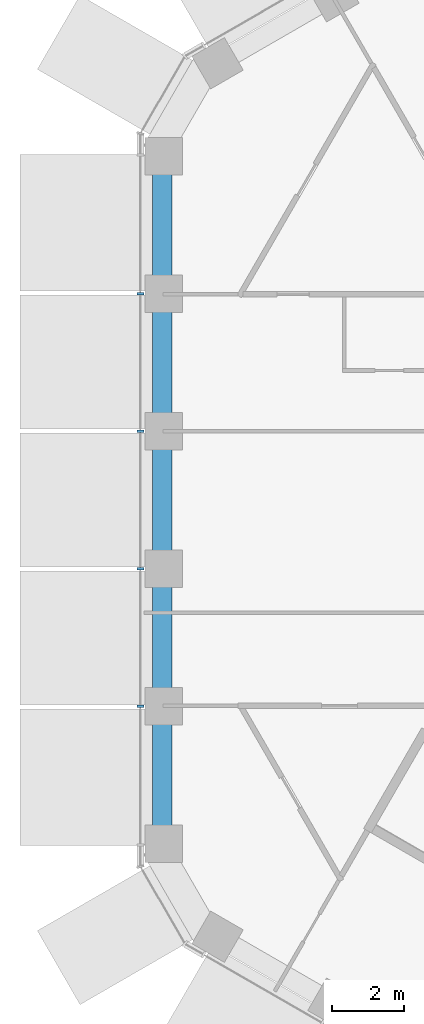
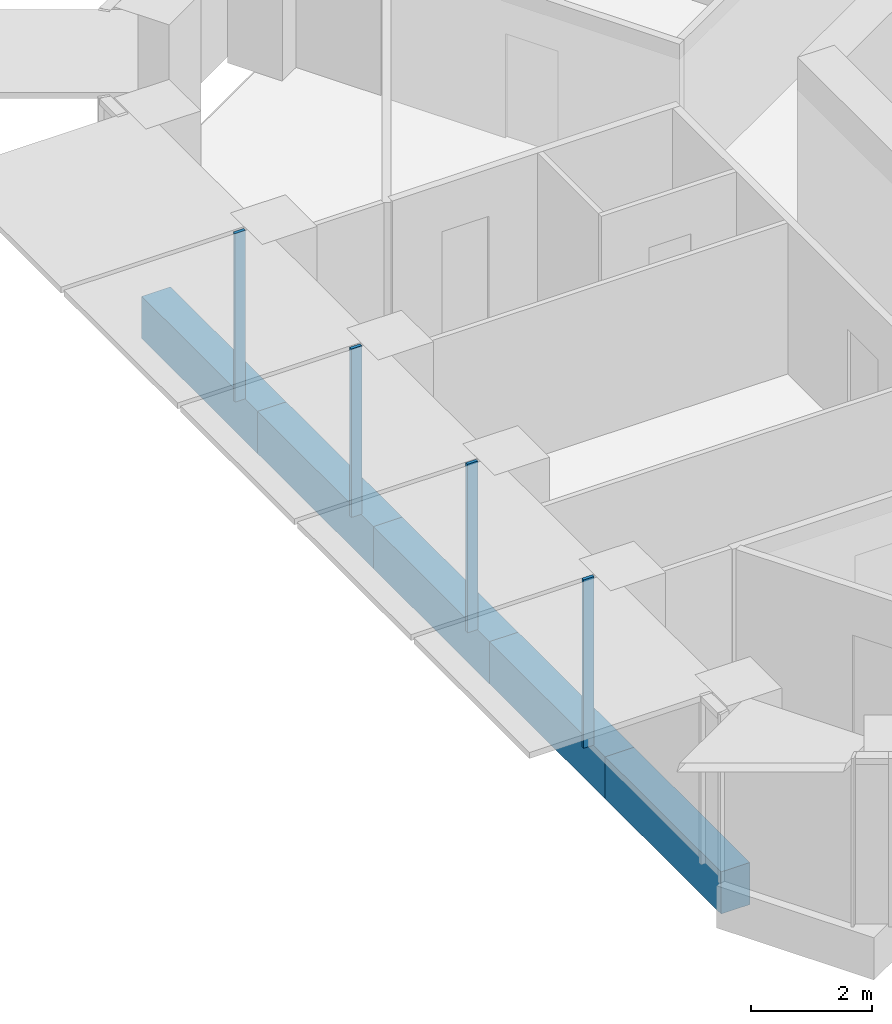
# One storey, part 3 of 18: 5 beams, 4 members, 1 element without a shape of its own.
"""IFC4 building model written with IfcOpenShell, lengths in metres."""

from ifc_helpers import new_model, si_unit, direction, frame, origin, origin_2d, place, context, subcontext, project, spatial, rectangle, extrude, material, layer, layer_set, material_profile, profile_set, type_object, element, aggregate, save


model = new_model("IFC4")

# Units and contexts
model_context = context("Model", 3, precision=1e-05, world=origin(), true_north=direction((0.0, 1.0)))
body_context = subcontext(model_context, "Body", "Model", "MODEL_VIEW")
ifc_project = project(units=[si_unit("LENGTHUNIT", "METRE"), si_unit("AREAUNIT", "SQUARE_METRE"), si_unit("VOLUMEUNIT", "CUBIC_METRE"), si_unit("PLANEANGLEUNIT", "RADIAN"), si_unit("MASSUNIT", "GRAM", prefix="KILO")], contexts=[model_context])

# Site, building, storey
site_placement = place(None, origin())
site = spatial("IfcSite", under=ifc_project, at=site_placement, CompositionType="ELEMENT")
building_placement = place(site_placement, origin())
building = spatial("IfcBuilding", under=site, at=building_placement, Name="Ayvan Gate Tower", CompositionType="ELEMENT")
storey_placement = place(building_placement, frame((0.0, 0.0, 89.89990234375)))
storey = spatial("IfcBuildingStorey", under=building, at=storey_placement, Name="L23", CompositionType="ELEMENT", Elevation=89.89990234375)

# Beams
ifc_material_1 = material(Name="Concrete C40/50", Category="concrete")
ifc_material_profile_1 = material_profile(ifc_material_1, rectangle(XDim=0.550048828125, YDim=0.85009765625, at=origin_2d()), Name="RC 550x850")
ifc_profile_set_1 = profile_set([ifc_material_profile_1], Name="Concrete C40/50")
beam_type = type_object("IfcBeamType", Name="Spandrel beam RC 550x850 C40/50", PredefinedType="BEAM", material=ifc_profile_set_1)
beam_1_placement = place(storey_placement, frame((-19.38037109375, 9.57861328125, -0.77490234375), z_axis=(0.0, -1.0, 0.0), x_axis=(1.0, 0.0, 0.0)))
element("IfcBeam", 1, at=beam_1_placement, inside=storey, type_object=beam_type, Name="SB-L23-19", PredefinedType="BEAM", context=body_context, shape_type="SweptSolid", body=[
    extrude(rectangle(XDim=0.550048828125, YDim=0.85009765625, at=origin_2d()), origin(), (0.0, 0.0, 1.0), 3.831298828125),
])
for number, where, z_axis, x_axis, name in (
    (2, (-19.38037109375, 5.747314453125, -0.77490234375), (0.0, -1.0, 0.0), (1.0, 0.0, 0.0), "SB-L23-20"),
    (3, (-19.38037109375, 1.915771484375, -0.77490234375), (0.0, -1.0, 0.0), (1.0, 0.0, 0.0), "SB-L23-21"),
    (4, (-19.38037109375, -1.915771484375, -0.77490234375), (0.0, -1.0, 0.0), (1.0, 0.0, 0.0), "SB-L23-22"),
):
    element("IfcBeam", number, at=place(storey_placement, frame(where, z_axis=z_axis, x_axis=x_axis)), inside=storey, type_object=beam_type, Name=name, PredefinedType="BEAM", context=body_context, shape_type="SweptSolid", body=[
        extrude(rectangle(XDim=0.550048828125, YDim=0.85009765625, at=origin_2d()), origin(), (0.0, 0.0, 1.0), 3.83154296875),
    ])
beam_2_placement = place(storey_placement, frame((-19.38037109375, -5.747314453125, -0.77490234375), z_axis=(0.0, -1.0, 0.0), x_axis=(1.0, 0.0, 0.0)))
element("IfcBeam", 5, at=beam_2_placement, inside=storey, type_object=beam_type, Name="SB-L23-23", PredefinedType="BEAM", context=body_context, shape_type="SweptSolid", body=[
    extrude(rectangle(XDim=0.550048828125, YDim=0.85009765625, at=origin_2d()), origin(), (0.0, 0.0, 1.0), 3.831298828125),
])

# Curtain wall, members
ifc_material_2 = material(Name="Bronze anodised aluminium", Category="aluminium")
ifc_layer = layer(ifc_material_2, 0.199951171875)
ifc_layer_set = layer_set([ifc_layer], Name="Bronze anodised aluminium")
curtain_wall_type = type_object("IfcCurtainWallType", Name="Stick curtain wall CW-1", PredefinedType="NOTDEFINED", material=ifc_layer_set)
curtain_wall_placement = place(storey_placement, origin())
curtain_wall = element("IfcCurtainWall", 6, at=curtain_wall_placement, inside=storey, type_object=curtain_wall_type, Name="Stick curtain wall CW-1 L23", PredefinedType="NOTDEFINED")
ifc_material_profile_2 = material_profile(ifc_material_2, rectangle(XDim=0.199951171875, YDim=0.06005859375, at=origin_2d()), Name="Stick curtain wall CW-1 mullion 200 x 60")
ifc_profile_set_2 = profile_set([ifc_material_profile_2], Name="Bronze anodised aluminium")
member_type = type_object("IfcMemberType", Name="Stick curtain wall CW-1 mullion 200 x 60", PredefinedType="MULLION", material=ifc_profile_set_2)
member_1_placement = place(storey_placement, frame((-19.991943359375, 5.76171875, 0.0), z_axis=(0.0, 0.0, 1.0), x_axis=(-1.0, 0.0, 0.0)))
member_1 = element("IfcMember", 7, at=member_1_placement, type_object=member_type, Name="CW-1 mullion 2", PredefinedType="MULLION", context=body_context, shape_type="SweptSolid", body=[
    extrude(rectangle(XDim=0.199951171875, YDim=0.06005859375, at=origin_2d()), origin(), (0.0, 0.0, 1.0), 3.400146484375),
])
member_2_placement = place(storey_placement, frame((-19.991943359375, 1.920654296875, 0.0), z_axis=(0.0, 0.0, 1.0), x_axis=(-1.0, 0.0, 0.0)))
member_2 = element("IfcMember", 8, at=member_2_placement, type_object=member_type, Name="CW-1 mullion 3", PredefinedType="MULLION", context=body_context, shape_type="SweptSolid", body=[
    extrude(rectangle(XDim=0.199951171875, YDim=0.06005859375, at=origin_2d()), origin(), (0.0, 0.0, 1.0), 3.400146484375),
])
member_3_placement = place(storey_placement, frame((-19.991943359375, -1.920166015625, 0.0), z_axis=(0.0, 0.0, 1.0), x_axis=(-1.0, 0.0, 0.0)))
member_3 = element("IfcMember", 9, at=member_3_placement, type_object=member_type, Name="CW-1 mullion 4", PredefinedType="MULLION", context=body_context, shape_type="SweptSolid", body=[
    extrude(rectangle(XDim=0.199951171875, YDim=0.06005859375, at=origin_2d()), origin(), (0.0, 0.0, 1.0), 3.400146484375),
])
member_4_placement = place(storey_placement, frame((-19.991943359375, -5.76220703125, 0.0), z_axis=(0.0, 0.0, 1.0), x_axis=(-1.0, 0.0, 0.0)))
member_4 = element("IfcMember", 10, at=member_4_placement, type_object=member_type, Name="CW-1 mullion 5", PredefinedType="MULLION", context=body_context, shape_type="SweptSolid", body=[
    extrude(rectangle(XDim=0.199951171875, YDim=0.06005859375, at=origin_2d()), origin(), (0.0, 0.0, 1.0), 3.400146484375),
])
aggregate(curtain_wall, [member_1, member_2, member_3, member_4])

save(model, "model.ifc")
